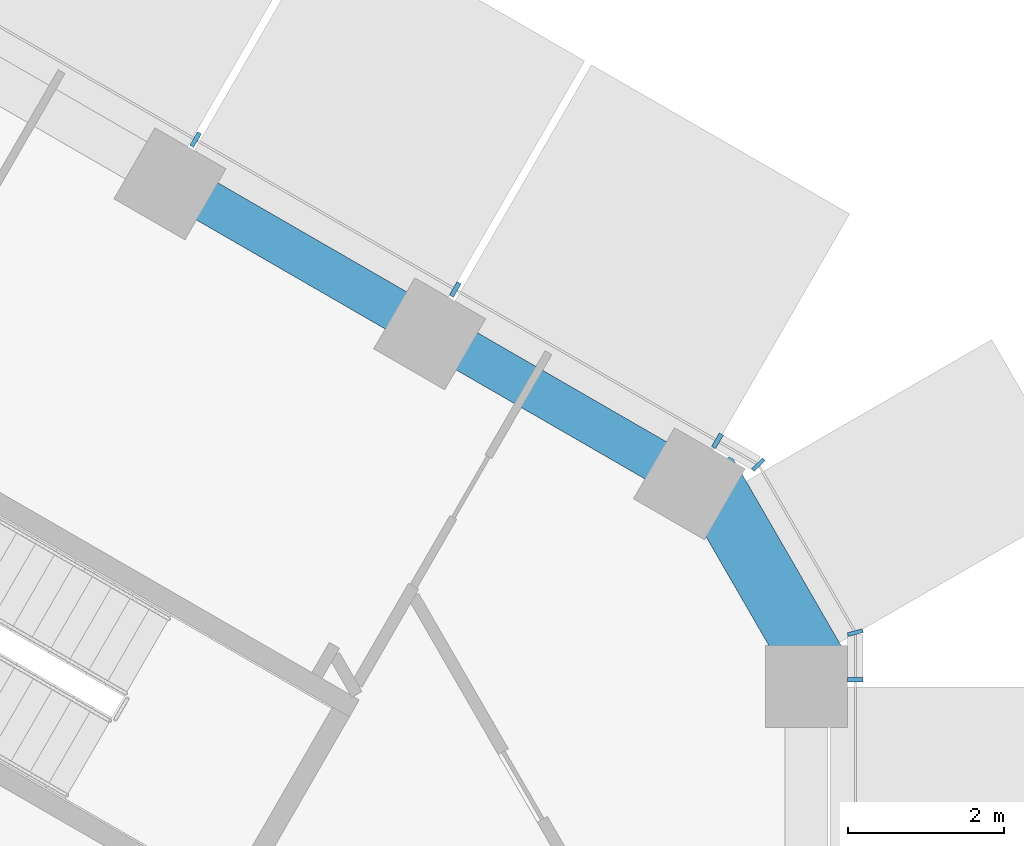
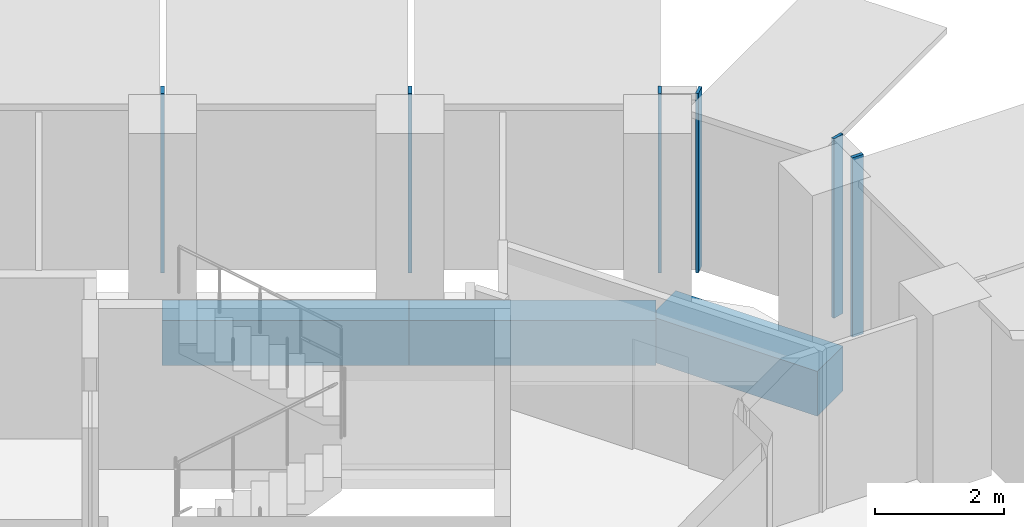
# One storey, part 6 of 18: 6 members, 3 beams, 3 elements without a shape of their own.
"""IFC4 building model written with IfcOpenShell, lengths in metres."""

from ifc_helpers import new_model, si_unit, direction, frame, origin, origin_2d, place, context, subcontext, project, spatial, rectangle, extrude, material, layer, layer_set, material_profile, profile_set, type_object, element, aggregate, save


model = new_model("IFC4")

# Units and contexts
model_context = context("Model", 3, precision=1e-05, world=origin(), true_north=direction((0.0, 1.0)))
body_context = subcontext(model_context, "Body", "Model", "MODEL_VIEW")
ifc_project = project(units=[si_unit("LENGTHUNIT", "METRE"), si_unit("AREAUNIT", "SQUARE_METRE"), si_unit("VOLUMEUNIT", "CUBIC_METRE"), si_unit("PLANEANGLEUNIT", "RADIAN"), si_unit("MASSUNIT", "GRAM", prefix="KILO")], contexts=[model_context])

# Site, building, storey
site_placement = place(None, origin())
site = spatial("IfcSite", under=ifc_project, at=site_placement, CompositionType="ELEMENT")
building_placement = place(site_placement, origin())
building = spatial("IfcBuilding", under=site, at=building_placement, Name="Ayvan Gate Tower", CompositionType="ELEMENT")
storey_placement = place(building_placement, frame((0.0, 0.0, 89.89990234375)))
storey = spatial("IfcBuildingStorey", under=building, at=storey_placement, Name="L23", CompositionType="ELEMENT", Elevation=89.89990234375)

# Beams
ifc_material_1 = material(Name="Concrete C40/50", Category="concrete")
ifc_material_profile_1 = material_profile(ifc_material_1, rectangle(XDim=0.800048828125, YDim=0.85009765625, at=origin_2d()), Name="RC 800x850")
ifc_profile_set_1 = profile_set([ifc_material_profile_1], Name="Concrete C40/50")
beam_type_1 = type_object("IfcBeamType", Name="Corner spandrel beam RC 800x850 C40/50", PredefinedType="BEAM", material=ifc_profile_set_1)
beam_placement = place(storey_placement, frame((19.676025390625, 9.506591796875, -0.77490234375), z_axis=(-0.50002537861, 0.866010750942, 0.0), x_axis=(-0.866010750942, -0.50002537861, 0.0)))
element("IfcBeam", 1, at=beam_placement, inside=storey, type_object=beam_type_1, Name="SB-L23-6", PredefinedType="BEAM", context=body_context, shape_type="SweptSolid", body=[
    extrude(rectangle(XDim=0.800048828125, YDim=0.85009765625, at=origin_2d()), origin(), (0.0, 0.0, 1.0), 2.999755859375),
])
ifc_material_profile_2 = material_profile(ifc_material_1, rectangle(XDim=0.550048828125, YDim=0.85009765625, at=origin_2d()), Name="RC 550x850")
ifc_profile_set_2 = profile_set([ifc_material_profile_2], Name="Concrete C40/50")
beam_type_2 = type_object("IfcBeamType", Name="Spandrel beam RC 550x850 C40/50", PredefinedType="BEAM", material=ifc_profile_set_2)
for number, where, z_axis, x_axis, name in (
    (2, (17.985595703125, 11.99462890625, -0.77490234375), (-0.866018988906, 0.500011110731, 0.0), (-0.500011110731, -0.866018988906, 0.0), "SB-L23-7"),
    (3, (14.66748046875, 13.910400390625, -0.77490234375), (-0.866018988906, 0.500011110731, 0.0), (-0.500011110731, -0.866018988906, 0.0), "SB-L23-8"),
):
    element("IfcBeam", number, at=place(storey_placement, frame(where, z_axis=z_axis, x_axis=x_axis)), inside=storey, type_object=beam_type_2, Name=name, PredefinedType="BEAM", context=body_context, shape_type="SweptSolid", body=[
        extrude(rectangle(XDim=0.550048828125, YDim=0.85009765625, at=origin_2d()), origin(), (0.0, 0.0, 1.0), 3.83154296875),
    ])

# Curtain wall, member
ifc_material_2 = material(Name="Bronze anodised aluminium", Category="aluminium")
ifc_layer_1 = layer(ifc_material_2, 0.199951171875)
ifc_layer_set_1 = layer_set([ifc_layer_1], Name="Bronze anodised aluminium")
curtain_wall_type_1 = type_object("IfcCurtainWallType", Name="Stick curtain wall CW-1", PredefinedType="NOTDEFINED", material=ifc_layer_set_1)
curtain_wall_1_placement = place(storey_placement, origin())
curtain_wall_1 = element("IfcCurtainWall", 4, at=curtain_wall_1_placement, inside=storey, type_object=curtain_wall_type_1, Name="Stick curtain wall CW-1 L23", PredefinedType="NOTDEFINED")
ifc_material_profile_3 = material_profile(ifc_material_2, rectangle(XDim=0.199951171875, YDim=0.06005859375, at=origin_2d()), Name="Stick curtain wall CW-1 mullion 200 x 60")
ifc_profile_set_3 = profile_set([ifc_material_profile_3], Name="Bronze anodised aluminium")
member_type_1 = type_object("IfcMemberType", Name="Stick curtain wall CW-1 mullion 200 x 60", PredefinedType="MULLION", material=ifc_profile_set_3)
member_1_placement = place(storey_placement, frame((20.110595703125, 9.43310546875, 0.0), z_axis=(0.0, 0.0, 1.0), x_axis=(1.0, 0.0, 0.0)))
member_1 = element("IfcMember", 5, at=member_1_placement, type_object=member_type_1, Name="CW-1 mullion 6", PredefinedType="MULLION", context=body_context, shape_type="SweptSolid", body=[
    extrude(rectangle(XDim=0.199951171875, YDim=0.06005859375, at=origin_2d()), origin(), (0.0, 0.0, 1.0), 3.400146484375),
])
aggregate(curtain_wall_1, [member_1])

# Curtain wall, members
curtain_wall_2_placement = place(storey_placement, origin())
curtain_wall_2 = element("IfcCurtainWall", 6, at=curtain_wall_2_placement, inside=storey, type_object=curtain_wall_type_1, Name="Stick curtain wall CW-1 L23", PredefinedType="NOTDEFINED")
member_2_placement = place(storey_placement, frame((18.34326171875, 12.494140625, 0.0), z_axis=(0.0, 0.0, 1.0), x_axis=(0.5, 0.866025403784, 0.0)))
member_2 = element("IfcMember", 7, at=member_2_placement, type_object=member_type_1, Name="CW-1 mullion 1", PredefinedType="MULLION", context=body_context, shape_type="SweptSolid", body=[
    extrude(rectangle(XDim=0.199951171875, YDim=0.06005859375, at=origin_2d()), origin(), (0.0, 0.0, 1.0), 3.400146484375),
])
member_3_placement = place(storey_placement, frame((14.98583984375, 14.4326171875, 0.0), z_axis=(0.0, 0.0, 1.0), x_axis=(0.5, 0.866025403784, 0.0)))
member_3 = element("IfcMember", 8, at=member_3_placement, type_object=member_type_1, Name="CW-1 mullion 2", PredefinedType="MULLION", context=body_context, shape_type="SweptSolid", body=[
    extrude(rectangle(XDim=0.199951171875, YDim=0.06005859375, at=origin_2d()), origin(), (0.0, 0.0, 1.0), 3.400146484375),
])
member_4_placement = place(storey_placement, frame((11.659423828125, 16.35302734375, 0.0), z_axis=(0.0, 0.0, 1.0), x_axis=(0.5, 0.866025403784, 0.0)))
member_4 = element("IfcMember", 9, at=member_4_placement, type_object=member_type_1, Name="CW-1 mullion 3", PredefinedType="MULLION", context=body_context, shape_type="SweptSolid", body=[
    extrude(rectangle(XDim=0.199951171875, YDim=0.06005859375, at=origin_2d()), origin(), (0.0, 0.0, 1.0), 3.400146484375),
])
aggregate(curtain_wall_2, [member_2, member_3, member_4])

ifc_layer_2 = layer(ifc_material_2, 0.199951171875)
ifc_layer_set_2 = layer_set([ifc_layer_2], Name="Bronze anodised aluminium")
curtain_wall_type_2 = type_object("IfcCurtainWallType", Name="Stick curtain wall CW-6", PredefinedType="NOTDEFINED", material=ifc_layer_set_2)
curtain_wall_3_placement = place(storey_placement, origin())
curtain_wall_3 = element("IfcCurtainWall", 10, at=curtain_wall_3_placement, inside=storey, type_object=curtain_wall_type_2, Name="Stick curtain wall CW-6 L23", PredefinedType="NOTDEFINED")
ifc_material_profile_4 = material_profile(ifc_material_2, rectangle(XDim=0.199951171875, YDim=0.050048828125, at=origin_2d()), Name="Stick curtain wall CW-6 mullion 200 x 50")
ifc_profile_set_4 = profile_set([ifc_material_profile_4], Name="Bronze anodised aluminium")
member_type_2 = type_object("IfcMemberType", Name="Stick curtain wall CW-6 mullion 200 x 50", PredefinedType="MULLION", material=ifc_profile_set_4)
member_5_placement = place(storey_placement, frame((20.110595703125, 10.0380859375, 0.0), z_axis=(0.0, 0.0, 1.0), x_axis=(0.965925826289, 0.258819045103, 0.0)))
member_5 = element("IfcMember", 11, at=member_5_placement, type_object=member_type_2, Name="CW-6 mullion 2", PredefinedType="MULLION", context=body_context, shape_type="SweptSolid", body=[
    extrude(rectangle(XDim=0.199951171875, YDim=0.050048828125, at=origin_2d()), origin(), (0.0, 0.0, 1.0), 3.400146484375),
])
member_6_placement = place(storey_placement, frame((18.8671875, 12.191650390625, 0.0), z_axis=(0.0, 0.0, 1.0), x_axis=(0.707106781187, 0.707106781187, 0.0)))
member_6 = element("IfcMember", 12, at=member_6_placement, type_object=member_type_2, Name="CW-6 mullion 3", PredefinedType="MULLION", context=body_context, shape_type="SweptSolid", body=[
    extrude(rectangle(XDim=0.199951171875, YDim=0.050048828125, at=origin_2d()), origin(), (0.0, 0.0, 1.0), 3.400146484375),
])
aggregate(curtain_wall_3, [member_5, member_6])

save(model, "model.ifc")
